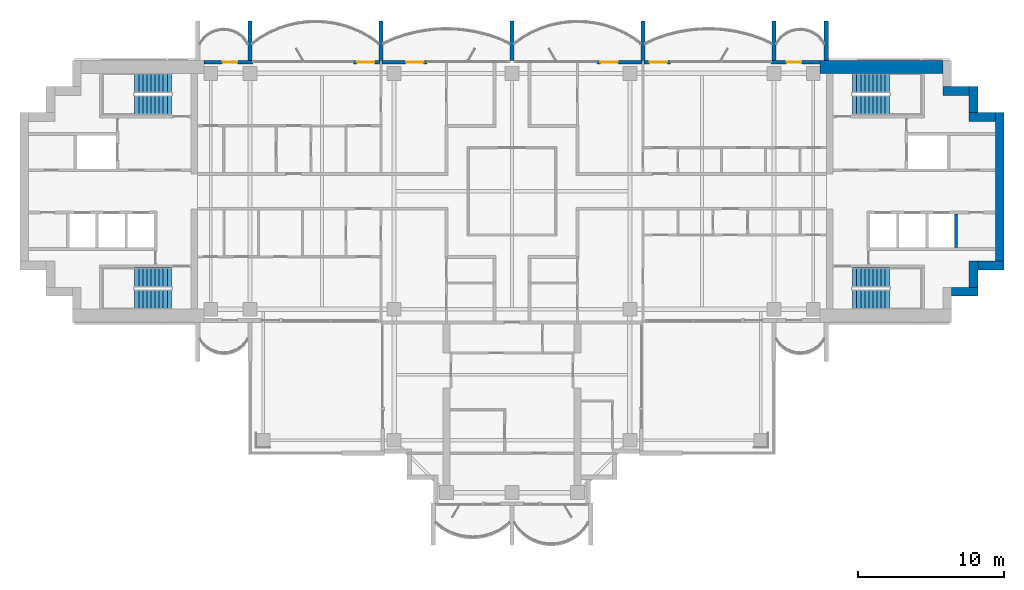
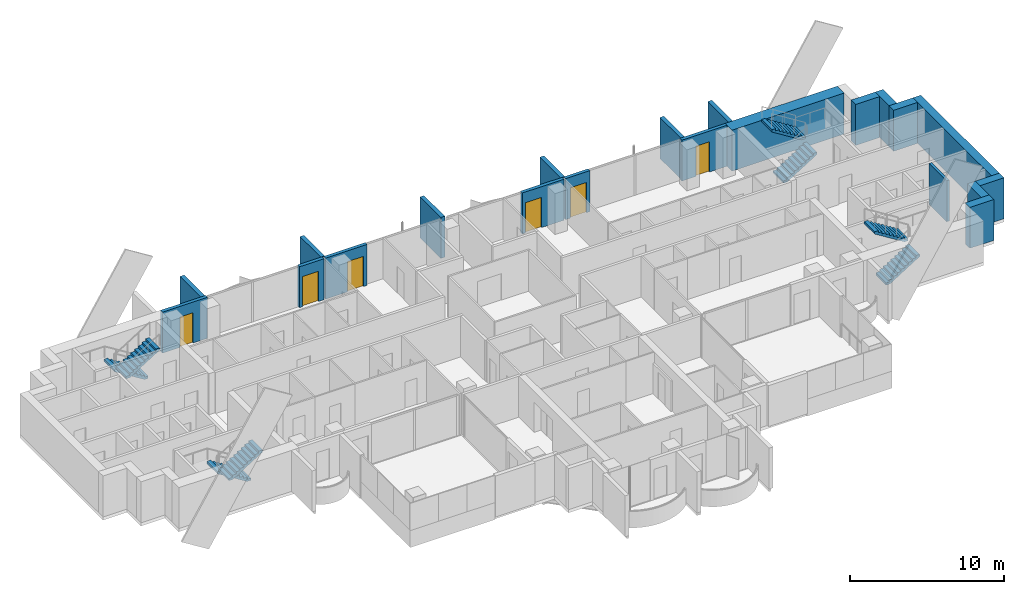
# One storey, part 13 of 17: 21 walls, 8 stair flights, 6 doors, 6 openings, 4 elements without a shape of their own.
"""IFC4 building model written with IfcOpenShell, lengths in metres."""

from ifc_helpers import new_model, si_unit, direction, frame, frame_2d, origin, place, context, subcontext, project, spatial, polyline, rectangle, outline, extrude, material, layer, layer_set, type_object, element, fill, aggregate, save


model = new_model("IFC4")

# Units and contexts
model_context = context("Model", 3, precision=1e-05, world=origin(), true_north=direction((0.0, 1.0)))
body_context = subcontext(model_context, "Body", "Model", "MODEL_VIEW")
ifc_project = project(units=[si_unit("LENGTHUNIT", "METRE"), si_unit("AREAUNIT", "SQUARE_METRE"), si_unit("VOLUMEUNIT", "CUBIC_METRE"), si_unit("PLANEANGLEUNIT", "RADIAN"), si_unit("MASSUNIT", "GRAM", prefix="KILO")], contexts=[model_context])

# Site, building, storey
site_placement = place(None, origin())
site = spatial("IfcSite", under=ifc_project, at=site_placement, CompositionType="ELEMENT")
building_placement = place(site_placement, origin())
building = spatial("IfcBuilding", under=site, at=building_placement, Name="Perihelion Cross Residences", CompositionType="ELEMENT")
storey_placement = place(building_placement, frame((0.0, 0.0, 187.60009765625)))
storey = spatial("IfcBuildingStorey", under=building, at=storey_placement, Name="L46", CompositionType="ELEMENT", Elevation=187.60009765625)

# Wall, opening, door
ifc_material_1 = material(Name="Concrete C30/37, bronze-clad", Category="concrete")
ifc_layer_1 = layer(ifc_material_1, 0.25)
ifc_layer_set_1 = layer_set([ifc_layer_1], Name="Bronze-clad pier wall 250")
wall_type_1 = type_object("IfcWallType", Name="Bronze-clad pier wall 250", PredefinedType="SOLIDWALL", material=ifc_layer_set_1)
wall_1_placement = place(storey_placement, frame((21.175048828125, 8.875, 0.0), z_axis=(0.0, 0.0, 1.0), x_axis=(-1.0, 0.0, 0.0)))
wall_1 = element("IfcWall", 1, at=wall_1_placement, inside=storey, type_object=wall_type_1, Name="Wall FW1 L46 east side north bay 1 pier", PredefinedType="SOLIDWALL", context=body_context, shape_type="SweptSolid", body=[
    extrude(rectangle(XDim=3.375, YDim=0.25, at=frame_2d((1.6875, 0.0))), origin(), (0.0, 0.0, 1.0), 3.25),
])
opening_1_placement = place(wall_1_placement, frame((1.300048828125, 0.0, 0.0)))
opening_1 = element("IfcOpeningElement", 2, at=opening_1_placement, cuts=wall_1, Name="Opening L46.E01", PredefinedType="OPENING", context=body_context, shape_type="SweptSolid", body=[
    extrude(rectangle(XDim=1.0, YDim=2.39990234375, at=frame_2d((0.5, 1.199951171875))), frame((0.0, 0.135009765625, 0.0), z_axis=(0.0, -1.0, 0.0), x_axis=(1.0, 0.0, 0.0)), (0.0, 0.0, 1.0), 0.27001953125),
])
ifc_material_2 = material(Name="Bronze anodised aluminium, glazed", Category="aluminium")
door_type_1 = type_object("IfcDoorType", Name="Balcony door 1000 x 2400", OperationType="NOTDEFINED", PredefinedType="DOOR", material=ifc_material_2)
door_1_placement = place(opening_1_placement, origin())
door_1 = element("IfcDoor", 3, at=door_1_placement, inside=storey, type_object=door_type_1, Name="Door L46.E01 east side north bay 1", OperationType="SINGLE_SWING_LEFT", OverallHeight=2.39990234375, OverallWidth=1.0, PredefinedType="DOOR", context=body_context, shape_type="SweptSolid", body=[
    extrude(rectangle(XDim=1.0, YDim=2.39990234375, at=frame_2d((0.5, 1.199951171875))), frame((0.0, 0.02490234375, 0.0), z_axis=(0.0, -1.0, 0.0), x_axis=(1.0, 0.0, 0.0)), (0.0, 0.0, 1.0), 0.050048828125),
])
fill(opening_1, door_1)

wall_2_placement = place(storey_placement, frame((10.89990234375, 8.875, 0.0), z_axis=(0.0, 0.0, 1.0), x_axis=(-1.0, 0.0, 0.0)))
wall_2 = element("IfcWall", 4, at=wall_2_placement, inside=storey, type_object=wall_type_1, Name="Wall FW1 L46 east side north bay 2 pier", PredefinedType="SOLIDWALL", context=body_context, shape_type="SweptSolid", body=[
    extrude(rectangle(XDim=1.83984375, YDim=0.25, at=frame_2d((0.919921875, 0.0))), origin(), (0.0, 0.0, 1.0), 3.25),
])
opening_2_placement = place(wall_2_placement, frame((0.25, 0.0, 0.0)))
opening_2 = element("IfcOpeningElement", 5, at=opening_2_placement, cuts=wall_2, Name="Opening L46.E02", PredefinedType="OPENING", context=body_context, shape_type="SweptSolid", body=[
    extrude(rectangle(XDim=1.199951171875, YDim=2.39990234375, at=frame_2d((0.60009765625, 1.199951171875))), frame((0.0, 0.135009765625, 0.0), z_axis=(0.0, -1.0, 0.0), x_axis=(1.0, 0.0, 0.0)), (0.0, 0.0, 1.0), 0.27001953125),
])
ifc_material_3 = material(Name="Bronze anodised aluminium, glazed", Category="aluminium")
door_type_2 = type_object("IfcDoorType", Name="Balcony door 1200 x 2400", OperationType="NOTDEFINED", PredefinedType="DOOR", material=ifc_material_3)
door_2_placement = place(opening_2_placement, origin())
door_2 = element("IfcDoor", 6, at=door_2_placement, inside=storey, type_object=door_type_2, Name="Door L46.E02 east side north bay 2", OperationType="SINGLE_SWING_RIGHT", OverallHeight=2.39990234375, OverallWidth=1.199951171875, PredefinedType="DOOR", context=body_context, shape_type="SweptSolid", body=[
    extrude(rectangle(XDim=1.199951171875, YDim=2.39990234375, at=frame_2d((0.60009765625, 1.199951171875))), frame((0.0, 0.02490234375, 0.0), z_axis=(0.0, -1.0, 0.0), x_axis=(1.0, 0.0, 0.0)), (0.0, 0.0, 1.0), 0.050048828125),
])
fill(opening_2, door_2)

wall_3_placement = place(storey_placement, frame((8.93994140625, 8.875, 0.0), z_axis=(0.0, 0.0, 1.0), x_axis=(-1.0, 0.0, 0.0)))
wall_3 = element("IfcWall", 7, at=wall_3_placement, inside=storey, type_object=wall_type_1, Name="Wall FW1 L46 north side east bay 1 pier", PredefinedType="SOLIDWALL", context=body_context, shape_type="SweptSolid", body=[
    extrude(rectangle(XDim=3.114990234375, YDim=0.25, at=frame_2d((1.5576171875, 0.0))), origin(), (0.0, 0.0, 1.0), 3.25),
])
opening_3_placement = place(wall_3_placement, frame((1.6650390625, 0.0, 0.0)))
opening_3 = element("IfcOpeningElement", 8, at=opening_3_placement, cuts=wall_3, Name="Opening L46.E03", PredefinedType="OPENING", context=body_context, shape_type="SweptSolid", body=[
    extrude(rectangle(XDim=1.199951171875, YDim=2.39990234375, at=frame_2d((0.60009765625, 1.199951171875))), frame((0.0, 0.135009765625, 0.0), z_axis=(0.0, -1.0, 0.0), x_axis=(1.0, 0.0, 0.0)), (0.0, 0.0, 1.0), 0.27001953125),
])
door_3_placement = place(opening_3_placement, origin())
door_3 = element("IfcDoor", 9, at=door_3_placement, inside=storey, type_object=door_type_2, Name="Door L46.E03 north side east bay 1", OperationType="SINGLE_SWING_LEFT", OverallHeight=2.39990234375, OverallWidth=1.199951171875, PredefinedType="DOOR", context=body_context, shape_type="SweptSolid", body=[
    extrude(rectangle(XDim=1.199951171875, YDim=2.39990234375, at=frame_2d((0.60009765625, 1.199951171875))), frame((0.0, 0.02490234375, 0.0), z_axis=(0.0, -1.0, 0.0), x_axis=(1.0, 0.0, 0.0)), (0.0, 0.0, 1.0), 0.050048828125),
])
fill(opening_3, door_3)

wall_4_placement = place(storey_placement, frame((-5.824951171875, 8.875, 0.0), z_axis=(0.0, 0.0, 1.0), x_axis=(-1.0, 0.0, 0.0)))
wall_4 = element("IfcWall", 10, at=wall_4_placement, inside=storey, type_object=wall_type_1, Name="Wall FW1 L46 north side east bay 2 pier", PredefinedType="SOLIDWALL", context=body_context, shape_type="SweptSolid", body=[
    extrude(rectangle(XDim=3.114990234375, YDim=0.25, at=frame_2d((1.5576171875, 0.0))), origin(), (0.0, 0.0, 1.0), 3.25),
])
opening_4_placement = place(wall_4_placement, frame((0.25, 0.0, 0.0)))
opening_4 = element("IfcOpeningElement", 11, at=opening_4_placement, cuts=wall_4, Name="Opening L46.E04", PredefinedType="OPENING", context=body_context, shape_type="SweptSolid", body=[
    extrude(rectangle(XDim=1.199951171875, YDim=2.39990234375, at=frame_2d((0.60009765625, 1.199951171875))), frame((0.0, 0.135009765625, 0.0), z_axis=(0.0, -1.0, 0.0), x_axis=(1.0, 0.0, 0.0)), (0.0, 0.0, 1.0), 0.27001953125),
])
door_4_placement = place(opening_4_placement, origin())
door_4 = element("IfcDoor", 12, at=door_4_placement, inside=storey, type_object=door_type_2, Name="Door L46.E04 north side east bay 2", OperationType="SINGLE_SWING_RIGHT", OverallHeight=2.39990234375, OverallWidth=1.199951171875, PredefinedType="DOOR", context=body_context, shape_type="SweptSolid", body=[
    extrude(rectangle(XDim=1.199951171875, YDim=2.39990234375, at=frame_2d((0.60009765625, 1.199951171875))), frame((0.0, 0.02490234375, 0.0), z_axis=(0.0, -1.0, 0.0), x_axis=(1.0, 0.0, 0.0)), (0.0, 0.0, 1.0), 0.050048828125),
])
fill(opening_4, door_4)

wall_5_placement = place(storey_placement, frame((-9.06005859375, 8.875, 0.0), z_axis=(0.0, 0.0, 1.0), x_axis=(-1.0, 0.0, 0.0)))
wall_5 = element("IfcWall", 13, at=wall_5_placement, inside=storey, type_object=wall_type_1, Name="Wall FW1 L46 west side north bay 1 pier", PredefinedType="SOLIDWALL", context=body_context, shape_type="SweptSolid", body=[
    extrude(rectangle(XDim=1.83984375, YDim=0.25, at=frame_2d((0.919921875, 0.0))), origin(), (0.0, 0.0, 1.0), 3.25),
])
opening_5_placement = place(wall_5_placement, frame((0.389892578125, 0.0, 0.0)))
opening_5 = element("IfcOpeningElement", 14, at=opening_5_placement, cuts=wall_5, Name="Opening L46.E05", PredefinedType="OPENING", context=body_context, shape_type="SweptSolid", body=[
    extrude(rectangle(XDim=1.199951171875, YDim=2.39990234375, at=frame_2d((0.60009765625, 1.199951171875))), frame((0.0, 0.135009765625, 0.0), z_axis=(0.0, -1.0, 0.0), x_axis=(1.0, 0.0, 0.0)), (0.0, 0.0, 1.0), 0.27001953125),
])
door_5_placement = place(opening_5_placement, origin())
door_5 = element("IfcDoor", 15, at=door_5_placement, inside=storey, type_object=door_type_2, Name="Door L46.E05 west side north bay 1", OperationType="SINGLE_SWING_LEFT", OverallHeight=2.39990234375, OverallWidth=1.199951171875, PredefinedType="DOOR", context=body_context, shape_type="SweptSolid", body=[
    extrude(rectangle(XDim=1.199951171875, YDim=2.39990234375, at=frame_2d((0.60009765625, 1.199951171875))), frame((0.0, 0.02490234375, 0.0), z_axis=(0.0, -1.0, 0.0), x_axis=(1.0, 0.0, 0.0)), (0.0, 0.0, 1.0), 0.050048828125),
])
fill(opening_5, door_5)

wall_6_placement = place(storey_placement, frame((-17.800048828125, 8.875, 0.0), z_axis=(0.0, 0.0, 1.0), x_axis=(-1.0, 0.0, 0.0)))
wall_6 = element("IfcWall", 16, at=wall_6_placement, inside=storey, type_object=wall_type_1, Name="Wall FW1 L46 west side north bay 2 pier", PredefinedType="SOLIDWALL", context=body_context, shape_type="SweptSolid", body=[
    extrude(rectangle(XDim=3.375, YDim=0.25, at=frame_2d((1.6875, 0.0))), origin(), (0.0, 0.0, 1.0), 3.25),
])
opening_6_placement = place(wall_6_placement, frame((1.074951171875, 0.0, 0.0)))
opening_6 = element("IfcOpeningElement", 17, at=opening_6_placement, cuts=wall_6, Name="Opening L46.E06", PredefinedType="OPENING", context=body_context, shape_type="SweptSolid", body=[
    extrude(rectangle(XDim=1.0, YDim=2.39990234375, at=frame_2d((0.5, 1.199951171875))), frame((0.0, 0.135009765625, 0.0), z_axis=(0.0, -1.0, 0.0), x_axis=(1.0, 0.0, 0.0)), (0.0, 0.0, 1.0), 0.27001953125),
])
door_6_placement = place(opening_6_placement, origin())
door_6 = element("IfcDoor", 18, at=door_6_placement, inside=storey, type_object=door_type_1, Name="Door L46.E06 west side north bay 2", OperationType="SINGLE_SWING_RIGHT", OverallHeight=2.39990234375, OverallWidth=1.0, PredefinedType="DOOR", context=body_context, shape_type="SweptSolid", body=[
    extrude(rectangle(XDim=1.0, YDim=2.39990234375, at=frame_2d((0.5, 1.199951171875))), frame((0.0, 0.02490234375, 0.0), z_axis=(0.0, -1.0, 0.0), x_axis=(1.0, 0.0, 0.0)), (0.0, 0.0, 1.0), 0.050048828125),
])
fill(opening_6, door_6)

# Walls
ifc_material_4 = material(Name="Concrete C60/75", Category="concrete")
ifc_layer_2 = layer(ifc_material_4, 0.60009765625)
ifc_layer_set_2 = layer_set([ifc_layer_2], Name="Core wall, outer 600")
wall_type_2 = type_object("IfcWallType", Name="Core wall, outer 600", PredefinedType="SHEAR", material=ifc_layer_set_2)
for number, where, z_axis, x_axis, name in (
    (19, (30.199951171875, -6.89990234375, 0.0), (0.0, 0.0, 1.0), (1.0, 0.0, 0.0), "East core core wall, outer"),
    (20, (31.699951171875, -6.60009765625, 0.0), (0.0, 0.0, 1.0), (0.0, 1.0, 0.0), "East core core wall, outer"),
    (21, (32.0, -5.10009765625, 0.0), (0.0, 0.0, 1.0), (1.0, 0.0, 0.0), "East core core wall, outer"),
):
    element("IfcWall", number, at=place(storey_placement, frame(where, z_axis=z_axis, x_axis=x_axis)), inside=storey, type_object=wall_type_2, Name=name, PredefinedType="SHEAR", context=body_context, shape_type="SweptSolid", body=[
        extrude(rectangle(XDim=1.800048828125, YDim=0.60009765625, at=frame_2d((0.89990234375, 0.0))), origin(), (0.0, 0.0, 1.0), 3.25),
    ])
wall_7_placement = place(storey_placement, frame((33.5, -4.800048828125, 0.0), z_axis=(0.0, 0.0, 1.0), x_axis=(0.0, 1.0, 0.0)))
element("IfcWall", 22, at=wall_7_placement, inside=storey, type_object=wall_type_2, Name="East core core wall, outer", PredefinedType="SHEAR", context=body_context, shape_type="SweptSolid", body=[
    extrude(rectangle(XDim=10.199951171875, YDim=0.60009765625, at=frame_2d((5.10009765625, 0.0))), origin(), (0.0, 0.0, 1.0), 3.25),
])
for number, where, z_axis, x_axis, name in (
    (23, (31.39990234375, 5.10009765625, 0.0), (0.0, 0.0, 1.0), (1.0, 0.0, 0.0), "East core core wall, outer"),
    (24, (31.699951171875, 5.39990234375, 0.0), (0.0, 0.0, 1.0), (0.0, 1.0, 0.0), "East core core wall, outer"),
):
    element("IfcWall", number, at=place(storey_placement, frame(where, z_axis=z_axis, x_axis=x_axis)), inside=storey, type_object=wall_type_2, Name=name, PredefinedType="SHEAR", context=body_context, shape_type="SweptSolid", body=[
        extrude(rectangle(XDim=1.800048828125, YDim=0.60009765625, at=frame_2d((0.89990234375, 0.0))), origin(), (0.0, 0.0, 1.0), 3.25),
    ])
wall_8_placement = place(storey_placement, frame((29.60009765625, 6.89990234375, 0.0), z_axis=(0.0, 0.0, 1.0), x_axis=(1.0, 0.0, 0.0)))
element("IfcWall", 25, at=wall_8_placement, inside=storey, type_object=wall_type_2, Name="East core core wall, outer", PredefinedType="SHEAR", context=body_context, shape_type="SweptSolid", body=[
    extrude(rectangle(XDim=1.7998046875, YDim=0.60009765625, at=frame_2d((0.89990234375, 0.0))), origin(), (0.0, 0.0, 1.0), 3.25),
])
ifc_material_5 = material(Name="Concrete C60/75", Category="concrete")
ifc_layer_3 = layer(ifc_material_5, 0.89990234375)
ifc_layer_set_3 = layer_set([ifc_layer_3], Name="Core wall, outer 900")
wall_type_3 = type_object("IfcWallType", Name="Core wall, outer 900", PredefinedType="SHEAR", material=ifc_layer_set_3)
wall_9_placement = place(storey_placement, frame((21.175048828125, 8.550048828125, 0.0), z_axis=(0.0, 0.0, 1.0), x_axis=(1.0, 0.0, 0.0)))
element("IfcWall", 26, at=wall_9_placement, inside=storey, type_object=wall_type_3, Name="East core core wall, outer", PredefinedType="SHEAR", context=body_context, shape_type="SweptSolid", body=[
    extrude(rectangle(XDim=8.425048828125, YDim=0.89990234375, at=frame_2d((4.21240234375, 0.0))), origin(), (0.0, 0.0, 1.0), 3.25),
])
ifc_material_6 = material(Name="Precast concrete C50/60", Category="concrete")
ifc_layer_4 = layer(ifc_material_6, 0.300048828125)
ifc_layer_set_4 = layer_set([ifc_layer_4], Name="Precast concrete C50/60 blade wall 300")
wall_type_4 = type_object("IfcWallType", Name="Precast concrete C50/60 blade wall 300", PredefinedType="SOLIDWALL", material=ifc_layer_set_4)
for number, where, z_axis, x_axis, name in (
    (27, (-18.0, 9.0, 0.0), (0.0, 0.0, 1.0), (0.0, 1.0, 0.0), "Wall BL1 L46 no. 2"),
    (28, (-9.0, 9.0, 0.0), (0.0, 0.0, 1.0), (0.0, 1.0, 0.0), "Wall BL1 L46 no. 7"),
    (29, (0.0, 9.0, 0.0), (0.0, 0.0, 1.0), (0.0, 1.0, 0.0), "Wall BL1 L46 no. 9"),
    (30, (9.0, 9.0, 0.0), (0.0, 0.0, 1.0), (0.0, 1.0, 0.0), "Wall BL1 L46 no. 16"),
    (31, (18.0, 9.0, 0.0), (0.0, 0.0, 1.0), (0.0, 1.0, 0.0), "Wall BL1 L46 no. 11"),
    (32, (21.60009765625, 9.0, 0.0), (0.0, 0.0, 1.0), (0.0, 1.0, 0.0), "Wall BL1 L46 no. 13"),
):
    element("IfcWall", number, at=place(storey_placement, frame(where, z_axis=z_axis, x_axis=x_axis)), inside=storey, type_object=wall_type_4, Name=name, PredefinedType="SOLIDWALL", context=body_context, shape_type="SweptSolid", body=[
        extrude(rectangle(XDim=2.699951171875, YDim=0.300048828125, at=frame_2d((1.35009765625, 0.0))), origin(), (0.0, 0.0, 1.0), 3.25),
    ])
ifc_material_7 = material(Name="Concrete C50/60", Category="concrete")
ifc_layer_5 = layer(ifc_material_7, 0.199951171875)
ifc_layer_set_5 = layer_set([ifc_layer_5], Name="Shaft wall 200")
wall_type_5 = type_object("IfcWallType", Name="Shaft wall 200", PredefinedType="SOLIDWALL", material=ifc_layer_set_5)
wall_10_placement = place(storey_placement, frame((30.5, -3.85009765625, 0.0), z_axis=(0.0, 0.0, 1.0), x_axis=(0.0, 1.0, 0.0)))
element("IfcWall", 33, at=wall_10_placement, inside=storey, type_object=wall_type_5, Name="East core shaft wall", PredefinedType="SOLIDWALL", context=body_context, shape_type="SweptSolid", body=[
    extrude(rectangle(XDim=2.300048828125, YDim=0.199951171875, at=frame_2d((1.14990234375, 0.0))), origin(), (0.0, 0.0, 1.0), 3.25),
])

# Stair, stair flights
ifc_material_8 = material(Name="Concrete C40/50", Category="concrete")
stair_type = type_object("IfcStairType", Name="Exit stair, half-turn", PredefinedType="HALF_TURN_STAIR", material=ifc_material_8)
stair_1_placement = place(storey_placement, origin())
stair_1 = element("IfcStair", 34, at=stair_1_placement, inside=storey, type_object=stair_type, Name="L46 East core exit stair 1", PredefinedType="HALF_TURN_STAIR")
ifc_material_9 = material(Name="Concrete C40/50", Category="concrete")
stair_flight_type = type_object("IfcStairFlightType", Name="Exit stair flight", PredefinedType="STRAIGHT", material=ifc_material_9)
stair_flight_1_placement = place(storey_placement, frame((23.39990234375, 5.925048828125, 0.0), z_axis=(0.0, 0.0, 1.0), x_axis=(1.0, 0.0, 0.0)))
stair_flight_1 = element("IfcStairFlight", 35, at=stair_flight_1_placement, type_object=stair_flight_type, Name="ST-E1 flight 1", NumberOfRisers=10, NumberOfTreads=9, PredefinedType="STRAIGHT", RiserHeight=0.175, TreadLength=0.28, context=body_context, shape_type="SweptSolid", body=[
    extrude(outline(polyline([(0.0, 0.0), (0.0, 0.175048828125), (0.280029296875, 0.175048828125), (0.280029296875, 0.35009765625), (0.56005859375, 0.35009765625), (0.56005859375, 0.52490234375), (0.840087890625, 0.52490234375), (0.840087890625, 0.699951171875), (1.1201171875, 0.699951171875), (1.1201171875, 0.875), (1.39990234375, 0.875), (1.39990234375, 1.050048828125), (1.679931640625, 1.050048828125), (1.679931640625, 1.22509765625), (1.9599609375, 1.22509765625), (1.9599609375, 1.39990234375), (2.239990234375, 1.39990234375), (2.239990234375, 1.574951171875), (2.52001953125, 1.574951171875), (2.52001953125, 1.75), (2.52001953125, 1.398193359375), (0.28271484375, 0.0), (0.0, 0.0)])), frame((0.0, 0.675048828125, 0.0), z_axis=(0.0, -1.0, 0.0), x_axis=(1.0, 0.0, 0.0)), (0.0, 0.0, 1.0), 1.35009765625),
])
stair_flight_2_placement = place(storey_placement, frame((25.919921875, 7.425048828125, 1.75), z_axis=(0.0, 0.0, 1.0), x_axis=(-1.0, 0.0, 0.0)))
stair_flight_2 = element("IfcStairFlight", 36, at=stair_flight_2_placement, type_object=stair_flight_type, Name="ST-E1 flight 2", NumberOfRisers=10, NumberOfTreads=9, PredefinedType="STRAIGHT", RiserHeight=0.175, TreadLength=0.28, context=body_context, shape_type="SweptSolid", body=[
    extrude(outline(polyline([(0.0, 0.0), (0.0, 0.175048828125), (0.280029296875, 0.175048828125), (0.280029296875, 0.35009765625), (0.56005859375, 0.35009765625), (0.56005859375, 0.52490234375), (0.840087890625, 0.52490234375), (0.840087890625, 0.699951171875), (1.1201171875, 0.699951171875), (1.1201171875, 0.875), (1.39990234375, 0.875), (1.39990234375, 1.050048828125), (1.679931640625, 1.050048828125), (1.679931640625, 1.22509765625), (1.9599609375, 1.22509765625), (1.9599609375, 1.39990234375), (2.239990234375, 1.39990234375), (2.239990234375, 1.574951171875), (2.52001953125, 1.574951171875), (2.52001953125, 1.75), (2.52001953125, 1.398193359375), (0.28271484375, 0.0), (0.0, 0.0)])), frame((0.0, 0.675048828125, 0.0), z_axis=(0.0, -1.0, 0.0), x_axis=(1.0, 0.0, 0.0)), (0.0, 0.0, 1.0), 1.35009765625),
])
aggregate(stair_1, [stair_flight_1, stair_flight_2])

stair_2_placement = place(storey_placement, origin())
stair_2 = element("IfcStair", 37, at=stair_2_placement, inside=storey, type_object=stair_type, Name="L46 East core exit stair 2", PredefinedType="HALF_TURN_STAIR")
stair_flight_3_placement = place(storey_placement, frame((23.39990234375, -7.425048828125, 0.0), z_axis=(0.0, 0.0, 1.0), x_axis=(1.0, 0.0, 0.0)))
stair_flight_3 = element("IfcStairFlight", 38, at=stair_flight_3_placement, type_object=stair_flight_type, Name="ST-E2 flight 1", NumberOfRisers=10, NumberOfTreads=9, PredefinedType="STRAIGHT", RiserHeight=0.175, TreadLength=0.28, context=body_context, shape_type="SweptSolid", body=[
    extrude(outline(polyline([(0.0, 0.0), (0.0, 0.175048828125), (0.280029296875, 0.175048828125), (0.280029296875, 0.35009765625), (0.56005859375, 0.35009765625), (0.56005859375, 0.52490234375), (0.840087890625, 0.52490234375), (0.840087890625, 0.699951171875), (1.1201171875, 0.699951171875), (1.1201171875, 0.875), (1.39990234375, 0.875), (1.39990234375, 1.050048828125), (1.679931640625, 1.050048828125), (1.679931640625, 1.22509765625), (1.9599609375, 1.22509765625), (1.9599609375, 1.39990234375), (2.239990234375, 1.39990234375), (2.239990234375, 1.574951171875), (2.52001953125, 1.574951171875), (2.52001953125, 1.75), (2.52001953125, 1.398193359375), (0.28271484375, 0.0), (0.0, 0.0)])), frame((0.0, 0.675048828125, 0.0), z_axis=(0.0, -1.0, 0.0), x_axis=(1.0, 0.0, 0.0)), (0.0, 0.0, 1.0), 1.35009765625),
])
stair_flight_4_placement = place(storey_placement, frame((25.919921875, -5.925048828125, 1.75), z_axis=(0.0, 0.0, 1.0), x_axis=(-1.0, 0.0, 0.0)))
stair_flight_4 = element("IfcStairFlight", 39, at=stair_flight_4_placement, type_object=stair_flight_type, Name="ST-E2 flight 2", NumberOfRisers=10, NumberOfTreads=9, PredefinedType="STRAIGHT", RiserHeight=0.175, TreadLength=0.28, context=body_context, shape_type="SweptSolid", body=[
    extrude(outline(polyline([(0.0, 0.0), (0.0, 0.175048828125), (0.280029296875, 0.175048828125), (0.280029296875, 0.35009765625), (0.56005859375, 0.35009765625), (0.56005859375, 0.52490234375), (0.840087890625, 0.52490234375), (0.840087890625, 0.699951171875), (1.1201171875, 0.699951171875), (1.1201171875, 0.875), (1.39990234375, 0.875), (1.39990234375, 1.050048828125), (1.679931640625, 1.050048828125), (1.679931640625, 1.22509765625), (1.9599609375, 1.22509765625), (1.9599609375, 1.39990234375), (2.239990234375, 1.39990234375), (2.239990234375, 1.574951171875), (2.52001953125, 1.574951171875), (2.52001953125, 1.75), (2.52001953125, 1.398193359375), (0.28271484375, 0.0), (0.0, 0.0)])), frame((0.0, 0.675048828125, 0.0), z_axis=(0.0, -1.0, 0.0), x_axis=(1.0, 0.0, 0.0)), (0.0, 0.0, 1.0), 1.35009765625),
])
aggregate(stair_2, [stair_flight_3, stair_flight_4])

stair_3_placement = place(storey_placement, origin())
stair_3 = element("IfcStair", 40, at=stair_3_placement, inside=storey, type_object=stair_type, Name="L46 West core exit stair 1", PredefinedType="HALF_TURN_STAIR")
stair_flight_5_placement = place(storey_placement, frame((-23.39990234375, 7.425048828125, 0.0), z_axis=(0.0, 0.0, 1.0), x_axis=(-1.0, 0.0, 0.0)))
stair_flight_5 = element("IfcStairFlight", 41, at=stair_flight_5_placement, type_object=stair_flight_type, Name="ST-W1 flight 1", NumberOfRisers=10, NumberOfTreads=9, PredefinedType="STRAIGHT", RiserHeight=0.175, TreadLength=0.28, context=body_context, shape_type="SweptSolid", body=[
    extrude(outline(polyline([(0.0, 0.0), (0.0, 0.175048828125), (0.280029296875, 0.175048828125), (0.280029296875, 0.35009765625), (0.56005859375, 0.35009765625), (0.56005859375, 0.52490234375), (0.840087890625, 0.52490234375), (0.840087890625, 0.699951171875), (1.1201171875, 0.699951171875), (1.1201171875, 0.875), (1.39990234375, 0.875), (1.39990234375, 1.050048828125), (1.679931640625, 1.050048828125), (1.679931640625, 1.22509765625), (1.9599609375, 1.22509765625), (1.9599609375, 1.39990234375), (2.239990234375, 1.39990234375), (2.239990234375, 1.574951171875), (2.52001953125, 1.574951171875), (2.52001953125, 1.75), (2.52001953125, 1.398193359375), (0.28271484375, 0.0), (0.0, 0.0)])), frame((0.0, 0.675048828125, 0.0), z_axis=(0.0, -1.0, 0.0), x_axis=(1.0, 0.0, 0.0)), (0.0, 0.0, 1.0), 1.35009765625),
])
stair_flight_6_placement = place(storey_placement, frame((-25.919921875, 5.925048828125, 1.75), z_axis=(0.0, 0.0, 1.0), x_axis=(1.0, 0.0, 0.0)))
stair_flight_6 = element("IfcStairFlight", 42, at=stair_flight_6_placement, type_object=stair_flight_type, Name="ST-W1 flight 2", NumberOfRisers=10, NumberOfTreads=9, PredefinedType="STRAIGHT", RiserHeight=0.175, TreadLength=0.28, context=body_context, shape_type="SweptSolid", body=[
    extrude(outline(polyline([(0.0, 0.0), (0.0, 0.175048828125), (0.280029296875, 0.175048828125), (0.280029296875, 0.35009765625), (0.56005859375, 0.35009765625), (0.56005859375, 0.52490234375), (0.840087890625, 0.52490234375), (0.840087890625, 0.699951171875), (1.1201171875, 0.699951171875), (1.1201171875, 0.875), (1.39990234375, 0.875), (1.39990234375, 1.050048828125), (1.679931640625, 1.050048828125), (1.679931640625, 1.22509765625), (1.9599609375, 1.22509765625), (1.9599609375, 1.39990234375), (2.239990234375, 1.39990234375), (2.239990234375, 1.574951171875), (2.52001953125, 1.574951171875), (2.52001953125, 1.75), (2.52001953125, 1.398193359375), (0.28271484375, 0.0), (0.0, 0.0)])), frame((0.0, 0.675048828125, 0.0), z_axis=(0.0, -1.0, 0.0), x_axis=(1.0, 0.0, 0.0)), (0.0, 0.0, 1.0), 1.35009765625),
])
aggregate(stair_3, [stair_flight_5, stair_flight_6])

stair_4_placement = place(storey_placement, origin())
stair_4 = element("IfcStair", 43, at=stair_4_placement, inside=storey, type_object=stair_type, Name="L46 West core exit stair 2", PredefinedType="HALF_TURN_STAIR")
stair_flight_7_placement = place(storey_placement, frame((-23.39990234375, -5.925048828125, 0.0), z_axis=(0.0, 0.0, 1.0), x_axis=(-1.0, 0.0, 0.0)))
stair_flight_7 = element("IfcStairFlight", 44, at=stair_flight_7_placement, type_object=stair_flight_type, Name="ST-W2 flight 1", NumberOfRisers=10, NumberOfTreads=9, PredefinedType="STRAIGHT", RiserHeight=0.175, TreadLength=0.28, context=body_context, shape_type="SweptSolid", body=[
    extrude(outline(polyline([(0.0, 0.0), (0.0, 0.175048828125), (0.280029296875, 0.175048828125), (0.280029296875, 0.35009765625), (0.56005859375, 0.35009765625), (0.56005859375, 0.52490234375), (0.840087890625, 0.52490234375), (0.840087890625, 0.699951171875), (1.1201171875, 0.699951171875), (1.1201171875, 0.875), (1.39990234375, 0.875), (1.39990234375, 1.050048828125), (1.679931640625, 1.050048828125), (1.679931640625, 1.22509765625), (1.9599609375, 1.22509765625), (1.9599609375, 1.39990234375), (2.239990234375, 1.39990234375), (2.239990234375, 1.574951171875), (2.52001953125, 1.574951171875), (2.52001953125, 1.75), (2.52001953125, 1.398193359375), (0.28271484375, 0.0), (0.0, 0.0)])), frame((0.0, 0.675048828125, 0.0), z_axis=(0.0, -1.0, 0.0), x_axis=(1.0, 0.0, 0.0)), (0.0, 0.0, 1.0), 1.35009765625),
])
stair_flight_8_placement = place(storey_placement, frame((-25.919921875, -7.425048828125, 1.75), z_axis=(0.0, 0.0, 1.0), x_axis=(1.0, 0.0, 0.0)))
stair_flight_8 = element("IfcStairFlight", 45, at=stair_flight_8_placement, type_object=stair_flight_type, Name="ST-W2 flight 2", NumberOfRisers=10, NumberOfTreads=9, PredefinedType="STRAIGHT", RiserHeight=0.175, TreadLength=0.28, context=body_context, shape_type="SweptSolid", body=[
    extrude(outline(polyline([(0.0, 0.0), (0.0, 0.175048828125), (0.280029296875, 0.175048828125), (0.280029296875, 0.35009765625), (0.56005859375, 0.35009765625), (0.56005859375, 0.52490234375), (0.840087890625, 0.52490234375), (0.840087890625, 0.699951171875), (1.1201171875, 0.699951171875), (1.1201171875, 0.875), (1.39990234375, 0.875), (1.39990234375, 1.050048828125), (1.679931640625, 1.050048828125), (1.679931640625, 1.22509765625), (1.9599609375, 1.22509765625), (1.9599609375, 1.39990234375), (2.239990234375, 1.39990234375), (2.239990234375, 1.574951171875), (2.52001953125, 1.574951171875), (2.52001953125, 1.75), (2.52001953125, 1.398193359375), (0.28271484375, 0.0), (0.0, 0.0)])), frame((0.0, 0.675048828125, 0.0), z_axis=(0.0, -1.0, 0.0), x_axis=(1.0, 0.0, 0.0)), (0.0, 0.0, 1.0), 1.35009765625),
])
aggregate(stair_4, [stair_flight_7, stair_flight_8])

save(model, "model.ifc")
